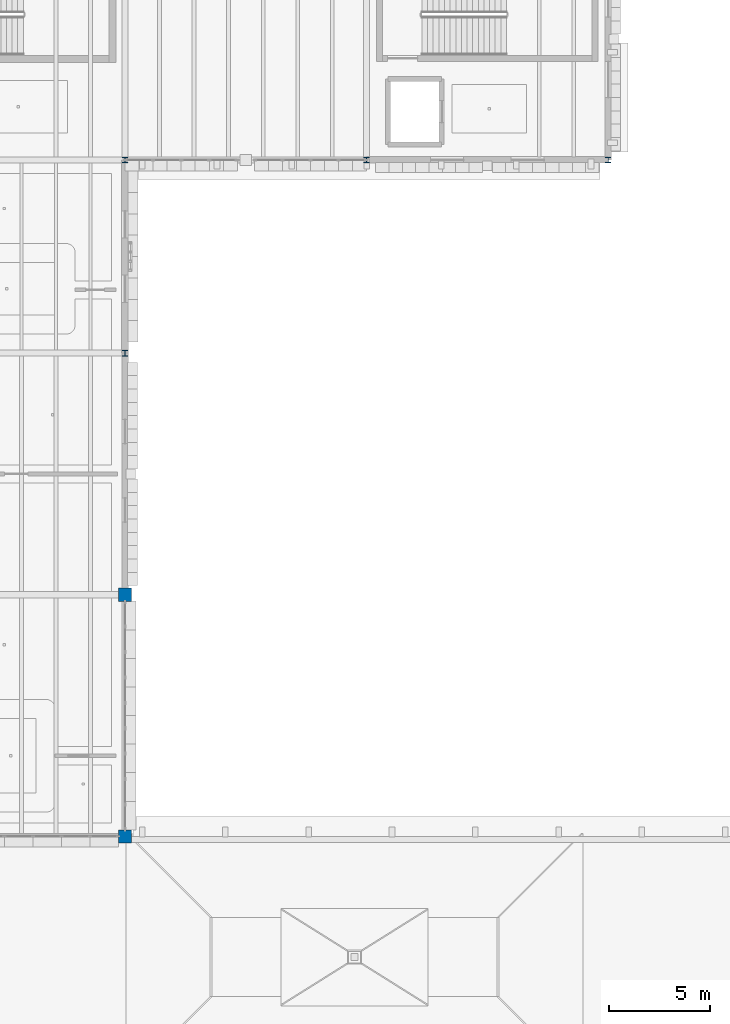
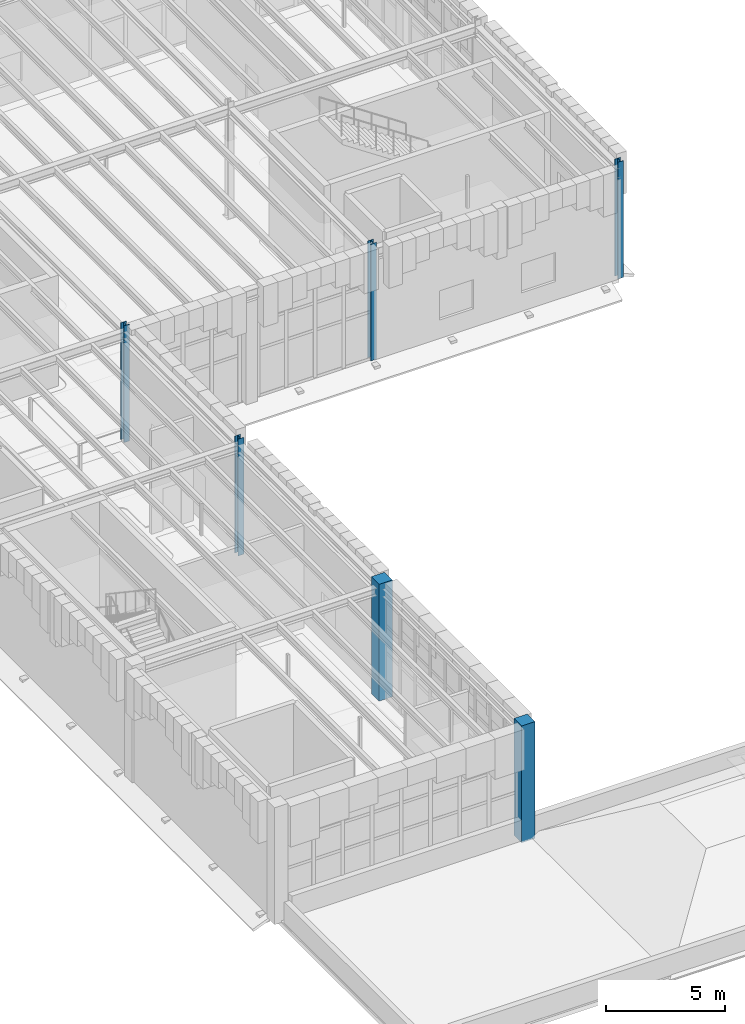
# One storey, part 11 of 83: 6 columns.
"""IFC4 building model written with IfcOpenShell, lengths in metres."""

from ifc_helpers import new_model, si_unit, direction, frame, origin, origin_2d, place, context, subcontext, project, spatial, rectangle, i_section, extrude, material, material_profile, profile_set, type_object, element, save


model = new_model("IFC4")

# Units and contexts
model_context = context("Model", 3, precision=1e-05, world=origin(), true_north=direction((0.0, 1.0)))
body_context = subcontext(model_context, "Body", "Model", "MODEL_VIEW")
ifc_project = project(units=[si_unit("LENGTHUNIT", "METRE"), si_unit("AREAUNIT", "SQUARE_METRE"), si_unit("VOLUMEUNIT", "CUBIC_METRE"), si_unit("PLANEANGLEUNIT", "RADIAN"), si_unit("MASSUNIT", "GRAM", prefix="KILO")], contexts=[model_context])

# Site, building, storey
site_placement = place(None, origin())
site = spatial("IfcSite", under=ifc_project, at=site_placement, CompositionType="ELEMENT")
building_placement = place(site_placement, origin())
building = spatial("IfcBuilding", under=site, at=building_placement, Name="Zlatogorsky Bluff Art Gallery", CompositionType="ELEMENT")
storey_placement = place(building_placement, frame((0.0, 0.0, 10.800048828125)))
storey = spatial("IfcBuildingStorey", under=building, at=storey_placement, Name="L02", CompositionType="ELEMENT", Elevation=10.800048828125)

# Columns
ifc_material_1 = material(Name="Steel S355", Category="steel")
ifc_material_profile_1 = material_profile(ifc_material_1, i_section(OverallWidth=0.280029296875, OverallDepth=0.280029296875, WebThickness=0.010498046875, FlangeThickness=0.01806640625, FilletRadius=0.02392578125, at=origin_2d()), Name="HEB 280")
ifc_profile_set_1 = profile_set([ifc_material_profile_1], Name="Steel S355")
column_type_1 = type_object("IfcColumnType", Name="Column CL-07 HEB 280", PredefinedType="COLUMN", material=ifc_profile_set_1)
for number, where, z_axis, x_axis, name in (
    (1, (132.0, 74.39990234375, 0.0), (0.0, 0.0, 1.0), (1.0, 0.0, 0.0), "Column CL-07 L02 M8"),
    (2, (132.0, 84.0, 0.0), (0.0, 0.0, 1.0), (1.0, 0.0, 0.0), "Column CL-07 L02 M9"),
    (3, (144.0, 84.0, 0.0), (0.0, 0.0, 1.0), (1.0, 0.0, 0.0), "Column CL-07 L02 N9"),
    (4, (156.0, 84.0, 0.0), (0.0, 0.0, 1.0), (1.0, 0.0, 0.0), "Column CL-07 L02 P9"),
):
    element("IfcColumn", number, at=place(storey_placement, frame(where, z_axis=z_axis, x_axis=x_axis)), inside=storey, type_object=column_type_1, Name=name, PredefinedType="COLUMN", context=body_context, shape_type="SweptSolid", body=[
        extrude(i_section(OverallWidth=0.280029296875, OverallDepth=0.280029296875, WebThickness=0.010498046875, FlangeThickness=0.01806640625, FilletRadius=0.02392578125, at=origin_2d()), origin(), (0.0, 0.0, 1.0), 6.0),
    ])
ifc_material_2 = material(Name="Concrete C35/45", Category="concrete")
ifc_material_profile_2 = material_profile(ifc_material_2, rectangle(XDim=0.64990234375, YDim=0.64990234375, at=origin_2d()), Name="RC 650x650")
ifc_profile_set_2 = profile_set([ifc_material_profile_2], Name="Concrete C35/45")
column_type_2 = type_object("IfcColumnType", Name="Column CL-14 RC 650x650", PredefinedType="COLUMN", material=ifc_profile_set_2)
for number, where, z_axis, x_axis, name in (
    (5, (132.0, 50.39990234375, 0.0), (0.0, 0.0, 1.0), (1.0, 0.0, 0.0), "Column CL-14 L02 M6"),
    (6, (132.0, 62.39990234375, 0.0), (0.0, 0.0, 1.0), (1.0, 0.0, 0.0), "Column CL-14 L02 M7"),
):
    element("IfcColumn", number, at=place(storey_placement, frame(where, z_axis=z_axis, x_axis=x_axis)), inside=storey, type_object=column_type_2, Name=name, PredefinedType="COLUMN", context=body_context, shape_type="SweptSolid", body=[
        extrude(rectangle(XDim=0.64990234375, YDim=0.64990234375, at=origin_2d()), origin(), (0.0, 0.0, 1.0), 6.0),
    ])

save(model, "model.ifc")
